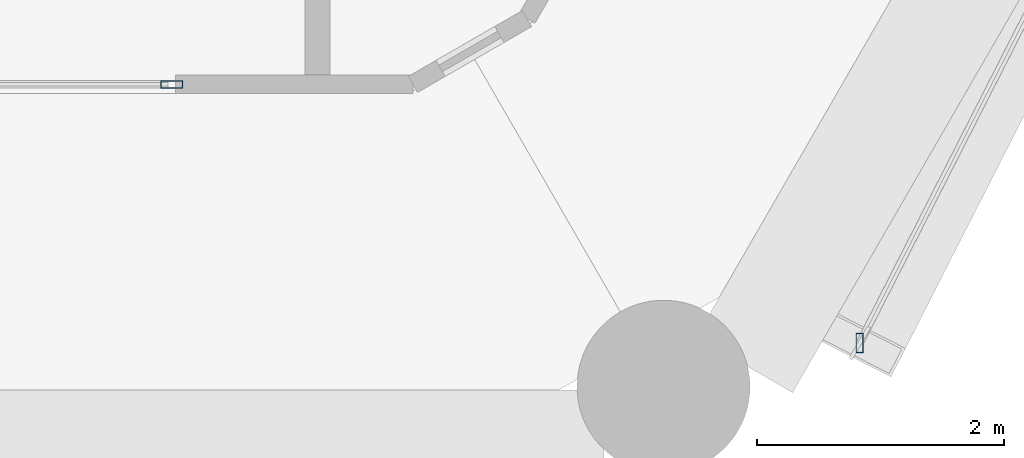
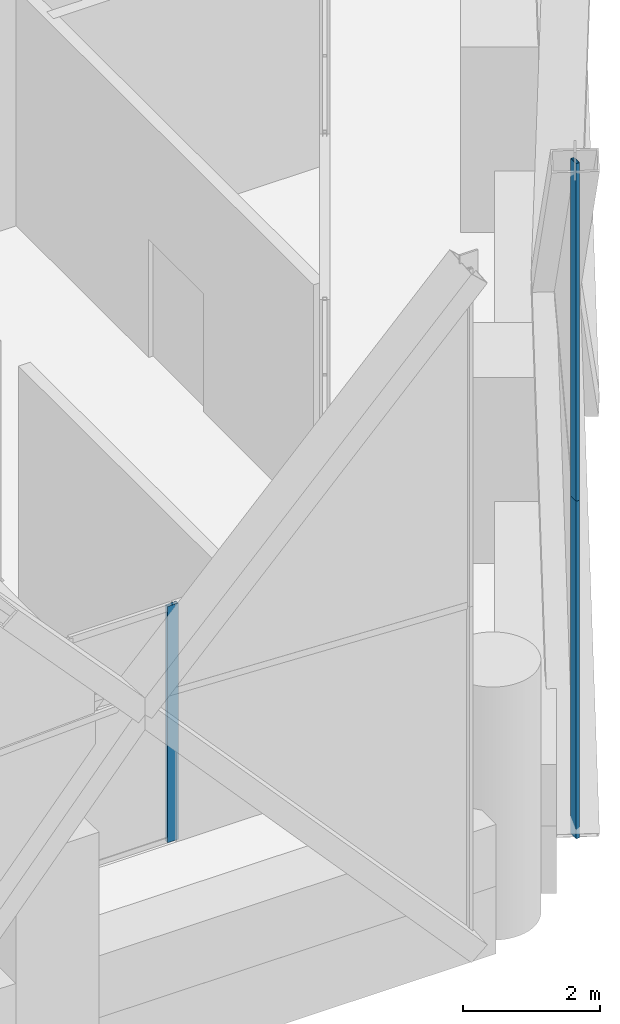
# One storey, part 16 of 46: 3 members, 2 elements without a shape of their own.
"""IFC4 building model written with IfcOpenShell, lengths in metres."""

from ifc_helpers import new_model, si_unit, direction, frame, origin, origin_2d, place, context, subcontext, project, spatial, hollow_rectangle, extrude, material, material_profile, profile_set, type_object, element, aggregate, save


model = new_model("IFC4")

# Units and contexts
model_context = context("Model", 3, precision=1e-05, world=origin(), true_north=direction((0.0, 1.0)))
body_context = subcontext(model_context, "Body", "Model", "MODEL_VIEW")
ifc_project = project(units=[si_unit("LENGTHUNIT", "METRE"), si_unit("AREAUNIT", "SQUARE_METRE"), si_unit("VOLUMEUNIT", "CUBIC_METRE"), si_unit("PLANEANGLEUNIT", "RADIAN"), si_unit("MASSUNIT", "GRAM", prefix="KILO")], contexts=[model_context])

# Site, building, storey
site_placement = place(None, origin())
site = spatial("IfcSite", under=ifc_project, at=site_placement, CompositionType="ELEMENT")
building_placement = place(site_placement, origin())
building = spatial("IfcBuilding", under=site, at=building_placement, Name="Ostrander Bayou Hotel Tower", CompositionType="ELEMENT")
storey_placement = place(building_placement, frame((0.0, 0.0, 23.5)))
storey = spatial("IfcBuildingStorey", under=building, at=storey_placement, Name="L05", CompositionType="ELEMENT", Elevation=23.5)

# Curtain wall, members
ifc_material_1 = material(Name="Aluminium and clear glass", Category="aluminium")
curtain_wall_type_1 = type_object("IfcCurtainWallType", Name="CW-LAT lattice glazing", PredefinedType="NOTDEFINED", material=ifc_material_1)
curtain_wall_1_placement = place(storey_placement, origin())
curtain_wall_1 = element("IfcCurtainWall", 1, at=curtain_wall_1_placement, inside=storey, type_object=curtain_wall_type_1, Name="CW-LAT L05 SE 1", PredefinedType="NOTDEFINED")
ifc_material_2 = material(Name="Aluminium", Category="aluminium")
ifc_material_profile_1 = material_profile(ifc_material_2, hollow_rectangle(XDim=0.06005859375, YDim=0.159912109375, WallThickness=0.00390625, at=origin_2d()))
ifc_profile_set_1 = profile_set([ifc_material_profile_1], Name="Aluminium")
member_type_1 = type_object("IfcMemberType", Name="CW-LA mullion 60 x 160 mm", PredefinedType="MULLION", material=ifc_profile_set_1)
member_1_placement = place(storey_placement, frame((13.637939453125, -20.5185546875, -0.60009765625), z_axis=(0.0, 0.0, 1.0), x_axis=(1.0, 0.0, 0.0)))
member_1 = element("IfcMember", 2, at=member_1_placement, type_object=member_type_1, Name="CW-LAT mullion 1", PredefinedType="MULLION", context=body_context, shape_type="SweptSolid", body=[
    extrude(hollow_rectangle(XDim=0.06005859375, YDim=0.159912109375, WallThickness=0.00390625, at=origin_2d()), origin(), (0.0, 0.0, 1.0), 6.0),
])
member_2_placement = place(storey_placement, frame((13.637939453125, -20.5185546875, 5.39990234375), z_axis=(0.0, 0.0, 1.0), x_axis=(1.0, 0.0, 0.0)))
member_2 = element("IfcMember", 3, at=member_2_placement, type_object=member_type_1, Name="CW-LAT mullion 2", PredefinedType="MULLION", context=body_context, shape_type="SweptSolid", body=[
    extrude(hollow_rectangle(XDim=0.06005859375, YDim=0.159912109375, WallThickness=0.00390625, at=origin_2d()), origin(), (0.0, 0.0, 1.0), 6.0),
])
aggregate(curtain_wall_1, [member_1, member_2])

# Curtain wall, member
ifc_material_3 = material(Name="Aluminium and clear glass", Category="aluminium")
curtain_wall_type_2 = type_object("IfcCurtainWallType", Name="CW-SKY amenity glass wall", PredefinedType="NOTDEFINED", material=ifc_material_3)
curtain_wall_2_placement = place(storey_placement, origin())
curtain_wall_2 = element("IfcCurtainWall", 4, at=curtain_wall_2_placement, inside=storey, type_object=curtain_wall_type_2, Name="CW-SKY L05 S 4", PredefinedType="NOTDEFINED")
ifc_material_4 = material(Name="Aluminium", Category="aluminium")
ifc_material_profile_2 = material_profile(ifc_material_4, hollow_rectangle(XDim=0.06005859375, YDim=0.179931640625, WallThickness=0.00390625, at=origin_2d()))
ifc_profile_set_2 = profile_set([ifc_material_profile_2], Name="Aluminium")
member_type_2 = type_object("IfcMemberType", Name="CW-SK mullion 60 x 180 mm", PredefinedType="MULLION", material=ifc_profile_set_2)
member_3_placement = place(storey_placement, frame((8.070068359375, -18.425048828125, 0.0), z_axis=(0.0, 0.0, 1.0), x_axis=(0.0, 1.0, 0.0)))
member_3 = element("IfcMember", 5, at=member_3_placement, type_object=member_type_2, Name="CW-SKY mullion 3", PredefinedType="MULLION", context=body_context, shape_type="SweptSolid", body=[
    extrude(hollow_rectangle(XDim=0.06005859375, YDim=0.179931640625, WallThickness=0.00390625, at=origin_2d()), origin(), (0.0, 0.0, 1.0), 4.199951171875),
])
aggregate(curtain_wall_2, [member_3])

save(model, "model.ifc")
